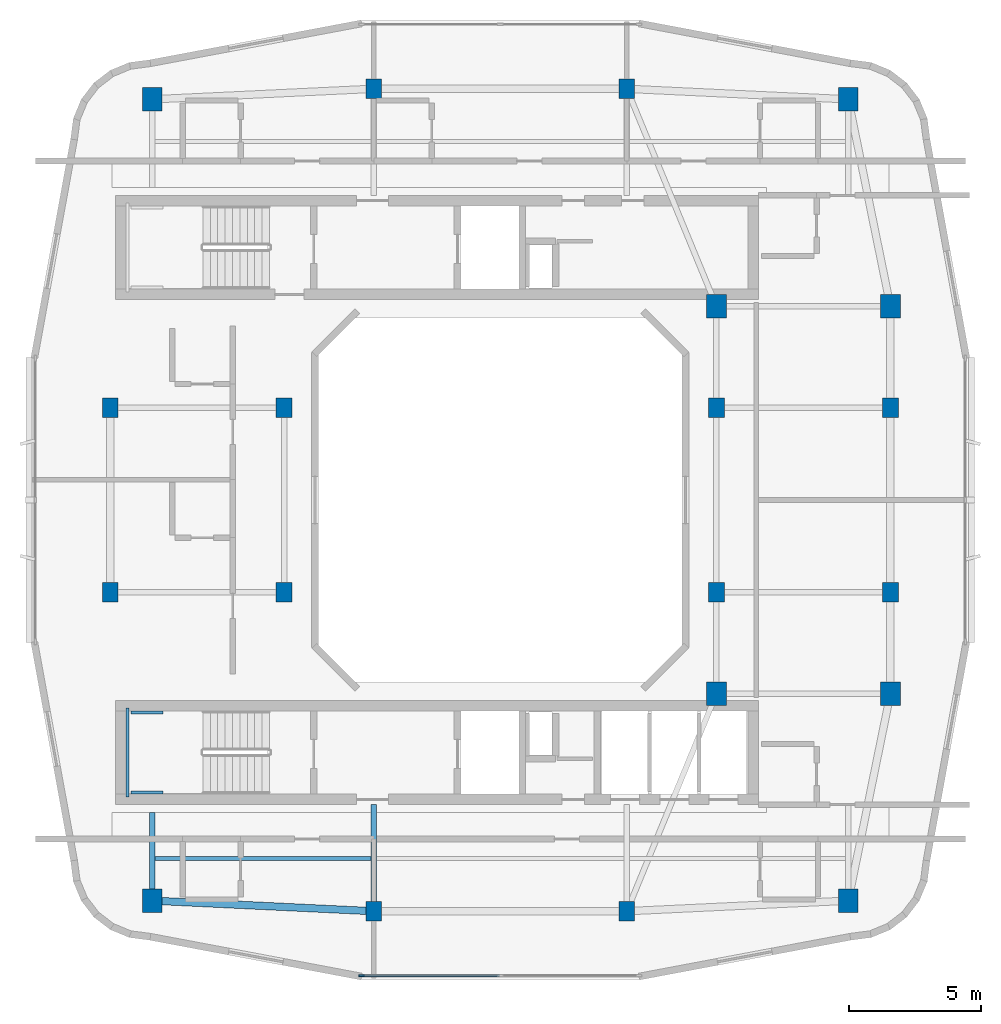
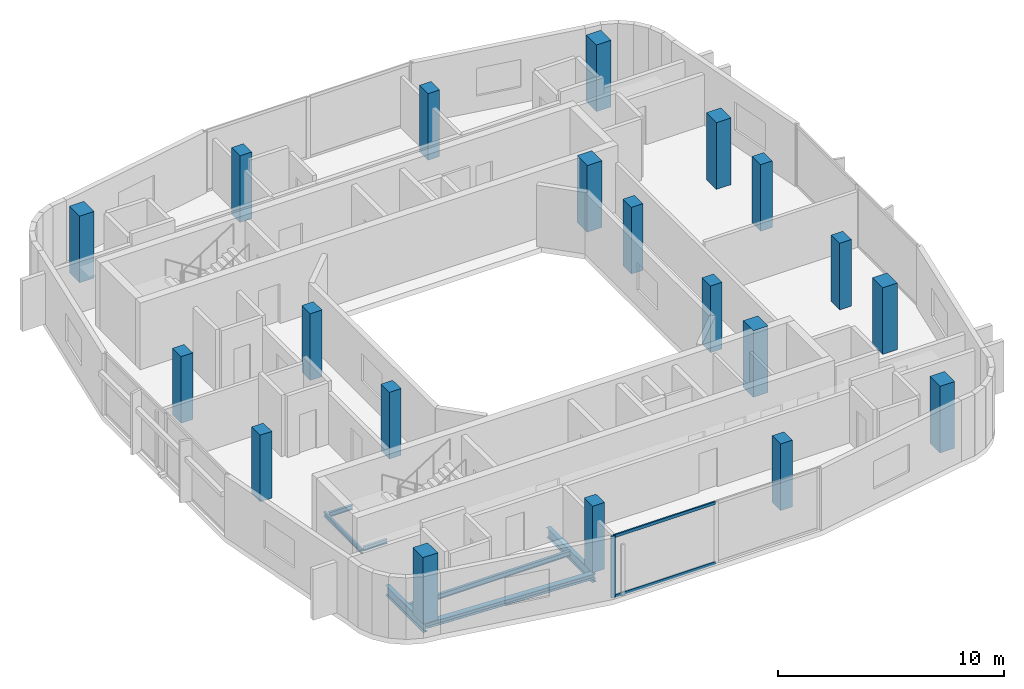
# One storey, part 1 of 10: 20 columns, 7 beams, 3 members, 1 element without a shape of its own.
"""IFC4 building model written with IfcOpenShell, lengths in metres."""

from ifc_helpers import new_model, si_unit, derived_unit, direction, frame, origin, origin_2d, place, context, subcontext, project, spatial, rectangle, i_section, extrude, material, layer, layer_set, material_profile, profile_set, type_object, element, aggregate, save


model = new_model("IFC4")

# Units and contexts
model_context = context("Model", 3, precision=1e-05, world=origin(), true_north=direction((0.0, 1.0)))
body_context = subcontext(model_context, "Body", "Model", "MODEL_VIEW")
ifc_project = project(units=[si_unit("LENGTHUNIT", "METRE"), si_unit("AREAUNIT", "SQUARE_METRE"), si_unit("VOLUMEUNIT", "CUBIC_METRE"), si_unit("PLANEANGLEUNIT", "RADIAN"), si_unit("MASSUNIT", "GRAM", prefix="KILO"), derived_unit("THERMALTRANSMITTANCEUNIT", [(si_unit("POWERUNIT", "WATT"), 1), (si_unit("LENGTHUNIT", "METRE"), -2), (si_unit("THERMODYNAMICTEMPERATUREUNIT", "KELVIN"), -1)])], contexts=[model_context])

# Site, building, storey
site_placement = place(None, origin())
site = spatial("IfcSite", under=ifc_project, at=site_placement, CompositionType="ELEMENT")
building_placement = place(site_placement, origin())
building = spatial("IfcBuilding", under=site, at=building_placement, Name="Kivonza Crest Hotel", CompositionType="ELEMENT")
storey_placement = place(building_placement, frame((0.0, 0.0, 250.39990234375)))
storey = spatial("IfcBuildingStorey", under=building, at=storey_placement, Name="L68", CompositionType="ELEMENT", Elevation=250.39990234375)

# Columns
ifc_material_1 = material(Name="Concrete C50/60", Category="concrete")
ifc_material_profile_1 = material_profile(ifc_material_1, rectangle(XDim=0.60009765625, YDim=0.75, at=origin_2d()), Name="RC 750x600")
ifc_profile_set_1 = profile_set([ifc_material_profile_1], Name="Concrete C50/60")
column_type_1 = type_object("IfcColumnType", Name="CL-RC-750x600", PredefinedType="COLUMN", material=ifc_profile_set_1)
for number, where, z_axis, x_axis, name in (
    (1, (16.199951171875, 9.39990234375, 0.0), (0.0, 0.0, 1.0), (1.0, 0.0, 0.0), "Tower T1 L68 column S1"),
    (2, (25.800048828125, 9.39990234375, 0.0), (0.0, 0.0, 1.0), (1.0, 0.0, 0.0), "Tower T1 L68 column S2"),
    (3, (16.199951171875, 40.60009765625, 0.0), (0.0, 0.0, 1.0), (1.0, 0.0, 0.0), "Tower T1 L68 column N1"),
    (4, (25.800048828125, 40.60009765625, 0.0), (0.0, 0.0, 1.0), (1.0, 0.0, 0.0), "Tower T1 L68 column N2"),
    (5, (6.199951171875, 21.5, 0.0), (0.0, 0.0, 1.0), (1.0, 0.0, 0.0), "Tower T1 L68 column W1"),
    (6, (6.199951171875, 28.5, 0.0), (0.0, 0.0, 1.0), (1.0, 0.0, 0.0), "Tower T1 L68 column W2"),
    (7, (35.800048828125, 21.5, 0.0), (0.0, 0.0, 1.0), (1.0, 0.0, 0.0), "Tower T1 L68 column E1"),
    (8, (35.800048828125, 28.5, 0.0), (0.0, 0.0, 1.0), (1.0, 0.0, 0.0), "Tower T1 L68 column E2"),
    (9, (12.800048828125, 21.5, 0.0), (0.0, 0.0, 1.0), (1.0, 0.0, 0.0), "Tower T1 L68 column WL1"),
    (10, (12.800048828125, 28.5, 0.0), (0.0, 0.0, 1.0), (1.0, 0.0, 0.0), "Tower T1 L68 column WL2"),
    (11, (29.199951171875, 21.5, 0.0), (0.0, 0.0, 1.0), (1.0, 0.0, 0.0), "Tower T1 L68 column WR1"),
    (12, (29.199951171875, 28.5, 0.0), (0.0, 0.0, 1.0), (1.0, 0.0, 0.0), "Tower T1 L68 column WR2"),
):
    element("IfcColumn", number, at=place(storey_placement, frame(where, z_axis=z_axis, x_axis=x_axis)), inside=storey, type_object=column_type_1, Name=name, PredefinedType="COLUMN", context=body_context, shape_type="SweptSolid", body=[
        extrude(rectangle(XDim=0.60009765625, YDim=0.75, at=origin_2d()), origin(), (0.0, 0.0, 1.0), 3.60009765625),
    ])
ifc_material_profile_2 = material_profile(ifc_material_1, rectangle(XDim=0.75, YDim=0.89990234375, at=origin_2d()), Name="RC 900x750")
ifc_profile_set_2 = profile_set([ifc_material_profile_2], Name="Concrete C50/60")
column_type_2 = type_object("IfcColumnType", Name="CL-RC-900x750", PredefinedType="COLUMN", material=ifc_profile_set_2)
for number, where, z_axis, x_axis, name in (
    (13, (7.800048828125, 9.800048828125, 0.0), (0.0, 0.0, 1.0), (1.0, 0.0, 0.0), "Tower T1 L68 column SW"),
    (14, (34.199951171875, 9.800048828125, 0.0), (0.0, 0.0, 1.0), (1.0, 0.0, 0.0), "Tower T1 L68 column SE"),
    (15, (34.199951171875, 40.199951171875, 0.0), (0.0, 0.0, 1.0), (1.0, 0.0, 0.0), "Tower T1 L68 column NE"),
    (16, (7.800048828125, 40.199951171875, 0.0), (0.0, 0.0, 1.0), (1.0, 0.0, 0.0), "Tower T1 L68 column NW"),
    (17, (35.800048828125, 17.64990234375, 0.0), (0.0, 0.0, 1.0), (1.0, 0.0, 0.0), "Tower T1 L68 column PSE"),
    (18, (35.800048828125, 32.35009765625, 0.0), (0.0, 0.0, 1.0), (1.0, 0.0, 0.0), "Tower T1 L68 column PNE"),
    (19, (29.199951171875, 17.64990234375, 0.0), (0.0, 0.0, 1.0), (1.0, 0.0, 0.0), "Tower T1 L68 column TSE"),
    (20, (29.199951171875, 32.35009765625, 0.0), (0.0, 0.0, 1.0), (1.0, 0.0, 0.0), "Tower T1 L68 column TNE"),
):
    element("IfcColumn", number, at=place(storey_placement, frame(where, z_axis=z_axis, x_axis=x_axis)), inside=storey, type_object=column_type_2, Name=name, PredefinedType="COLUMN", context=body_context, shape_type="SweptSolid", body=[
        extrude(rectangle(XDim=0.75, YDim=0.89990234375, at=origin_2d()), origin(), (0.0, 0.0, 1.0), 3.60009765625),
    ])

# Beams
ifc_material_2 = material(Name="Steel S355", Category="steel")
ifc_material_profile_3 = material_profile(ifc_material_2, i_section(OverallWidth=0.280029296875, OverallDepth=0.280029296875, WebThickness=0.010498046875, FlangeThickness=0.01806640625, FilletRadius=0.02392578125, at=origin_2d()), Name="HEB 280")
ifc_profile_set_3 = profile_set([ifc_material_profile_3], Name="Steel S355")
beam_type_1 = type_object("IfcBeamType", Name="BM-HEB280", PredefinedType="SPANDREL", material=ifc_profile_set_3)
beam_1_placement = place(storey_placement, frame((7.800048828125, 9.800048828125, -0.419921875), z_axis=(0.998867283688, -0.047583080799, 0.0), x_axis=(0.047583080799, 0.998867283688, 0.0)))
element("IfcBeam", 21, at=beam_1_placement, inside=storey, type_object=beam_type_1, Name="Tower T1 L68 perimeter spandrel SW-S1", PredefinedType="SPANDREL", context=body_context, shape_type="SweptSolid", body=[
    extrude(i_section(OverallWidth=0.280029296875, OverallDepth=0.280029296875, WebThickness=0.010498046875, FlangeThickness=0.01806640625, FilletRadius=0.02392578125, at=origin_2d()), origin(), (0.0, 0.0, 1.0), 8.409423828125),
])
ifc_material_profile_4 = material_profile(ifc_material_2, i_section(OverallWidth=0.135009765625, OverallDepth=0.27001953125, WebThickness=0.006591796875, FlangeThickness=0.01025390625, FilletRadius=0.014892578125, at=origin_2d()), Name="IPE 270")
ifc_profile_set_4 = profile_set([ifc_material_profile_4], Name="Steel S355")
beam_type_2 = type_object("IfcBeamType", Name="BM-IPE270", PredefinedType="JOIST", material=ifc_profile_set_4)
beam_2_placement = place(storey_placement, frame((7.8798828125, 11.39990234375, -0.414794921875), z_axis=(1.0, 0.0, 0.0), x_axis=(0.0, 1.0, 0.0)))
element("IfcBeam", 22, at=beam_2_placement, inside=storey, type_object=beam_type_2, Name="Tower T1 L68 South-West floor joist", PredefinedType="JOIST", context=body_context, shape_type="SweptSolid", body=[
    extrude(i_section(OverallWidth=0.135009765625, OverallDepth=0.27001953125, WebThickness=0.006591796875, FlangeThickness=0.01025390625, FilletRadius=0.014892578125, at=origin_2d()), origin(), (0.0, 0.0, 1.0), 8.240234375),
])
ifc_material_profile_5 = material_profile(ifc_material_2, i_section(OverallWidth=0.2099609375, OverallDepth=0.550048828125, WebThickness=0.010986328125, FlangeThickness=0.01708984375, FilletRadius=0.02392578125, at=origin_2d()), Name="IPE 550")
ifc_profile_set_5 = profile_set([ifc_material_profile_5], Name="Steel S355")
beam_type_3 = type_object("IfcBeamType", Name="BM-IPE550", PredefinedType="BEAM", material=ifc_profile_set_5)
beam_3_placement = place(storey_placement, frame((7.800048828125, 9.800048828125, -0.554931640625), z_axis=(0.0, 1.0, 0.0), x_axis=(-1.0, 0.0, 0.0)))
element("IfcBeam", 23, at=beam_3_placement, inside=storey, type_object=beam_type_3, Name="Tower T1 L68 radial core girder RSW", PredefinedType="BEAM", context=body_context, shape_type="SweptSolid", body=[
    extrude(i_section(OverallWidth=0.2099609375, OverallDepth=0.550048828125, WebThickness=0.010986328125, FlangeThickness=0.01708984375, FilletRadius=0.02392578125, at=origin_2d()), origin(), (0.0, 0.0, 1.0), 3.349853515625),
])
beam_4_placement = place(storey_placement, frame((16.199951171875, 9.39990234375, -0.554931640625), z_axis=(0.0, 1.0, 0.0), x_axis=(-1.0, 0.0, 0.0)))
element("IfcBeam", 24, at=beam_4_placement, inside=storey, type_object=beam_type_3, Name="Tower T1 L68 radial core girder RS1", PredefinedType="BEAM", context=body_context, shape_type="SweptSolid", body=[
    extrude(i_section(OverallWidth=0.2099609375, OverallDepth=0.550048828125, WebThickness=0.010986328125, FlangeThickness=0.01708984375, FilletRadius=0.02392578125, at=origin_2d()), origin(), (0.0, 0.0, 1.0), 4.050048828125),
])
ifc_material_profile_6 = material_profile(ifc_material_2, i_section(OverallWidth=0.1201171875, OverallDepth=0.239990234375, WebThickness=0.006103515625, FlangeThickness=0.009765625, FilletRadius=0.014892578125, at=origin_2d()), Name="IPE 240")
ifc_profile_set_6 = profile_set([ifc_material_profile_6], Name="Steel S355")
beam_type_4 = type_object("IfcBeamType", Name="BM-LLDG-240", PredefinedType="BEAM", material=ifc_profile_set_6)
beam_5_placement = place(storey_placement, frame((6.860107421875, 13.739990234375, 1.47998046875), z_axis=(0.0, 1.0, 0.0), x_axis=(-1.0, 0.0, 0.0)))
element("IfcBeam", 25, at=beam_5_placement, inside=storey, type_object=beam_type_4, Name="Stair ST-T1-S L68 West landing corbel", PredefinedType="BEAM", context=body_context, shape_type="SweptSolid", body=[
    extrude(i_section(OverallWidth=0.1201171875, OverallDepth=0.239990234375, WebThickness=0.006103515625, FlangeThickness=0.009765625, FilletRadius=0.014892578125, at=origin_2d()), origin(), (0.0, 0.0, 1.0), 3.360107421875),
])
for number, where, z_axis, x_axis, name in (
    (26, (6.989990234375, 13.89990234375, 1.47998046875), (1.0, 0.0, 0.0), (0.0, 1.0, 0.0), "Stair ST-T1-S L68 South landing corbel"),
    (27, (6.989990234375, 16.93994140625, 1.47998046875), (1.0, 0.0, 0.0), (0.0, 1.0, 0.0), "Stair ST-T1-S L68 North landing corbel"),
):
    element("IfcBeam", number, at=place(storey_placement, frame(where, z_axis=z_axis, x_axis=x_axis)), inside=storey, type_object=beam_type_4, Name=name, PredefinedType="BEAM", context=body_context, shape_type="SweptSolid", body=[
        extrude(i_section(OverallWidth=0.1201171875, OverallDepth=0.239990234375, WebThickness=0.006103515625, FlangeThickness=0.009765625, FilletRadius=0.014892578125, at=origin_2d()), origin(), (0.0, 0.0, 1.0), 1.2099609375),
    ])

# Curtain wall, members
ifc_material_3 = material(Name="Anodised bronze aluminium and low-E double glazing", Category="aluminium")
ifc_layer = layer(ifc_material_3, 0.179931640625)
ifc_layer_set = layer_set([ifc_layer], Name="Anodised bronze aluminium and low-E double glazing")
curtain_wall_type = type_object("IfcCurtainWallType", Name="CW-SYS-3", PredefinedType="NOTDEFINED", material=ifc_layer_set)
curtain_wall_placement = place(storey_placement, origin())
curtain_wall = element("IfcCurtainWall", 28, at=curtain_wall_placement, inside=storey, type_object=curtain_wall_type, Name="L68 unitised curtain wall CW-T1-L68-08", PredefinedType="NOTDEFINED")
ifc_material_4 = material(Name="Anodised bronze aluminium", Category="aluminium")
ifc_material_profile_7 = material_profile(ifc_material_4, rectangle(XDim=0.074951171875, YDim=0.219970703125, at=origin_2d()), Name="CW-M 75x220")
ifc_profile_set_7 = profile_set([ifc_material_profile_7], Name="Anodised bronze aluminium")
member_type_1 = type_object("IfcMemberType", Name="CW-MUL-75x220", PredefinedType="MULLION", material=ifc_profile_set_7)
member_1_placement = place(storey_placement, frame((15.737548828125, 6.9599609375, 0.0), z_axis=(0.0, 0.0, 1.0), x_axis=(0.0, 1.0, 0.0)))
member_1 = element("IfcMember", 29, at=member_1_placement, type_object=member_type_1, Name="CW-3 mullion 1", PredefinedType="MULLION", context=body_context, shape_type="SweptSolid", body=[
    extrude(rectangle(XDim=0.074951171875, YDim=0.219970703125, at=origin_2d()), origin(), (0.0, 0.0, 1.0), 3.320068359375),
])
ifc_material_profile_8 = material_profile(ifc_material_4, rectangle(XDim=0.074951171875, YDim=0.159912109375, at=origin_2d()), Name="CW-T 75x160")
ifc_profile_set_8 = profile_set([ifc_material_profile_8], Name="Anodised bronze aluminium")
member_type_2 = type_object("IfcMemberType", Name="CW-TRN-75x160", PredefinedType="USERDEFINED", material=ifc_profile_set_8)
member_2_placement = place(storey_placement, frame((15.77490234375, 6.9599609375, 0.03759765625), z_axis=(1.0, 0.0, 0.0), x_axis=(0.0, 1.0, 0.0)))
member_2 = element("IfcMember", 30, at=member_2_placement, type_object=member_type_2, Name="CW-3 transom 1.1", ObjectType="TRANSOM", PredefinedType="USERDEFINED", context=body_context, shape_type="SweptSolid", body=[
    extrude(rectangle(XDim=0.074951171875, YDim=0.159912109375, at=origin_2d()), origin(), (0.0, 0.0, 1.0), 5.1875),
])
member_3_placement = place(storey_placement, frame((15.77490234375, 6.9599609375, 3.28271484375), z_axis=(1.0, 0.0, 0.0), x_axis=(0.0, 1.0, 0.0)))
member_3 = element("IfcMember", 31, at=member_3_placement, type_object=member_type_2, Name="CW-3 transom 1.2", ObjectType="TRANSOM", PredefinedType="USERDEFINED", context=body_context, shape_type="SweptSolid", body=[
    extrude(rectangle(XDim=0.074951171875, YDim=0.159912109375, at=origin_2d()), origin(), (0.0, 0.0, 1.0), 5.1875),
])
aggregate(curtain_wall, [member_1, member_2, member_3])

save(model, "model.ifc")
